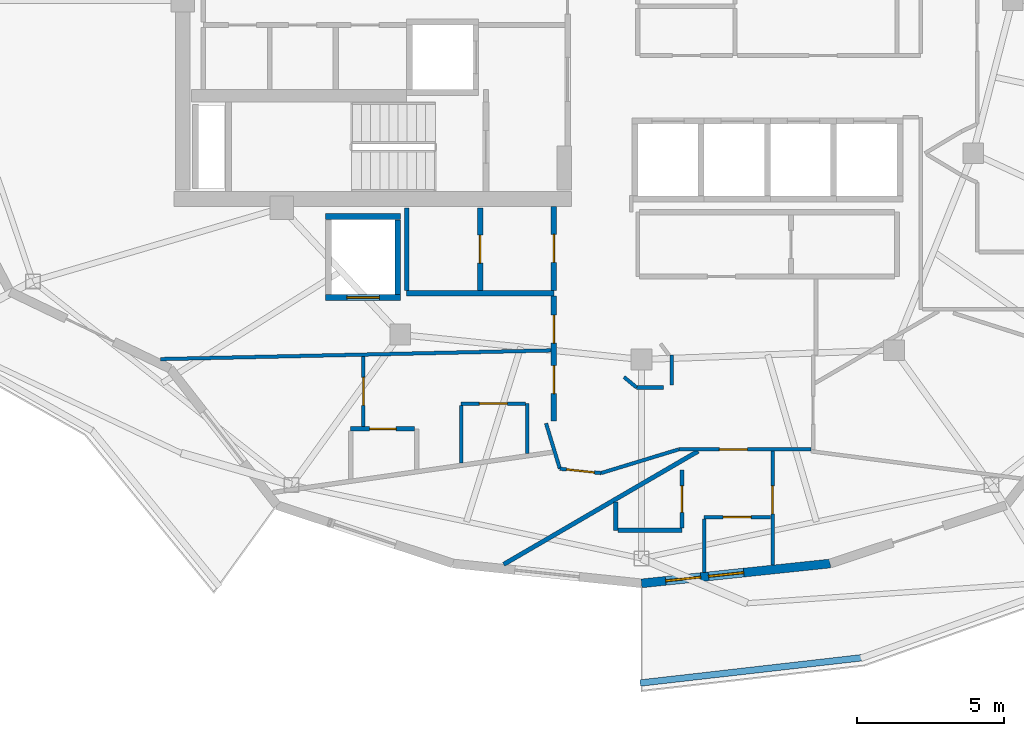
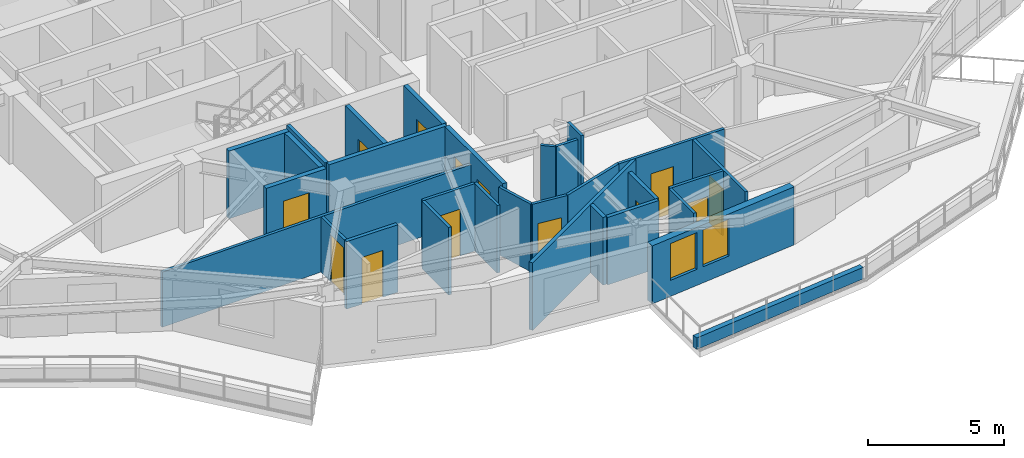
# One storey, part 6 of 14: 30 walls, 13 doors, 2 windows, 15 openings.
"""IFC4 building model written with IfcOpenShell, lengths in metres."""

from ifc_helpers import new_model, si_unit, direction, frame, frame_2d, origin, place, context, subcontext, project, spatial, rectangle, extrude, material, layer, layer_set, type_object, element, fill, save


model = new_model("IFC4")

# Units and contexts
model_context = context("Model", 3, precision=1e-05, world=origin(), true_north=direction((0.0, 1.0)))
body_context = subcontext(model_context, "Body", "Model", "MODEL_VIEW")
ifc_project = project(units=[si_unit("LENGTHUNIT", "METRE"), si_unit("AREAUNIT", "SQUARE_METRE"), si_unit("VOLUMEUNIT", "CUBIC_METRE"), si_unit("PLANEANGLEUNIT", "RADIAN"), si_unit("MASSUNIT", "GRAM", prefix="KILO")], contexts=[model_context])

# Site, building, storey
site_placement = place(None, origin())
site = spatial("IfcSite", under=ifc_project, at=site_placement, CompositionType="ELEMENT")
building_placement = place(site_placement, origin())
building = spatial("IfcBuilding", under=site, at=building_placement, Name="Kolvaren Gate Tower and Convention Centre", CompositionType="ELEMENT")
storey_placement = place(building_placement, frame((0.0, 0.0, 232.699951171875)))
storey = spatial("IfcBuildingStorey", under=building, at=storey_placement, Name="L62", CompositionType="ELEMENT", Elevation=232.699951171875)

# Wall
ifc_material_1 = material(Name="Autoclaved Aerated Masonry Blockwork Class 4 (4.0 MPa)", Category="masonry")
ifc_layer_1 = layer(ifc_material_1, 0.179931640625)
ifc_layer_set_1 = layer_set([ifc_layer_1], Name="Autoclaved Aerated Masonry Blockwork Class 4 (4.0 MPa)")
wall_type_1 = type_object("IfcWallType", Name="ARCH-WL-COMP-180", PredefinedType="SOLIDWALL", material=ifc_layer_set_1)
wall_1_placement = place(storey_placement, frame((22.14990234375, 17.050048828125, 0.0), z_axis=(0.0, 0.0, 1.0), x_axis=(1.0, 0.0, 0.0)))
element("IfcWall", 1, at=wall_1_placement, inside=storey, type_object=wall_type_1, Name="Interior Partition WL-L62-INT-011", PredefinedType="SOLIDWALL", context=body_context, shape_type="SweptSolid", body=[
    extrude(rectangle(XDim=5.0, YDim=0.179931640625, at=frame_2d((2.5, 0.0))), origin(), (0.0, 0.0, 1.0), 3.030029296875),
])

# Wall, opening, door
wall_2_placement = place(storey_placement, frame((24.64990234375, 17.14208984375, 0.0), z_axis=(0.0, 0.0, 1.0), x_axis=(0.0, 1.0, 0.0)))
wall_2 = element("IfcWall", 2, at=wall_2_placement, inside=storey, type_object=wall_type_1, Name="Interior Partition WL-L62-INT-013", PredefinedType="SOLIDWALL", context=body_context, shape_type="SweptSolid", body=[
    extrude(rectangle(XDim=2.807861328125, YDim=0.179931640625, at=frame_2d((1.40380859375, 0.0))), origin(), (0.0, 0.0, 1.0), 3.030029296875),
])
opening_1_placement = place(wall_2_placement, frame((0.928955078125, 0.0, 0.0)))
opening_1 = element("IfcOpeningElement", 3, at=opening_1_placement, cuts=wall_2, Name="Opening DR-01", PredefinedType="OPENING", context=body_context, shape_type="SweptSolid", body=[
    extrude(rectangle(XDim=0.949951171875, YDim=2.10009765625, at=frame_2d((0.47509765625, 1.050048828125))), frame((0.0, 0.099853515625, 0.0), z_axis=(0.0, -1.0, 0.0), x_axis=(1.0, 0.0, 0.0)), (0.0, 0.0, 1.0), 0.199951171875),
])
ifc_material_2 = material(Name="Painted Architectural Steelwork ASTM A500 Grade C 345 MPa", Category="steel")
door_type_1 = type_object("IfcDoorType", Name="ARCH-DR-RISER-950", OperationType="SINGLE_SWING_RIGHT", PredefinedType="DOOR", material=ifc_material_2)
door_1_placement = place(opening_1_placement, origin())
door_1 = element("IfcDoor", 4, at=door_1_placement, inside=storey, type_object=door_type_1, Name="West Valet Store Door", OperationType="SINGLE_SWING_LEFT", OverallHeight=2.10009765625, OverallWidth=0.949951171875, PredefinedType="DOOR", context=body_context, shape_type="SweptSolid", body=[
    extrude(rectangle(XDim=0.949951171875, YDim=2.10009765625, at=frame_2d((0.47509765625, 1.050048828125))), frame((0.0, 0.02490234375, 0.0), z_axis=(0.0, -1.0, 0.0), x_axis=(1.0, 0.0, 0.0)), (0.0, 0.0, 1.0), 0.050048828125),
])
fill(opening_1, door_1)

# Wall, openings, doors
wall_3_placement = place(storey_placement, frame((27.14990234375, 12.714111328125, 0.0), z_axis=(0.0, 0.0, 1.0), x_axis=(0.0, 1.0, 0.0)))
wall_3 = element("IfcWall", 5, at=wall_3_placement, inside=storey, type_object=wall_type_1, Name="Interior Partition WL-L62-INT-014", PredefinedType="SOLIDWALL", context=body_context, shape_type="SweptSolid", body=[
    extrude(rectangle(XDim=4.243896484375, YDim=0.179931640625, at=frame_2d((2.1220703125, 0.0))), origin(), (0.0, 0.0, 1.0), 3.030029296875),
])
opening_2_placement = place(wall_3_placement, frame((0.928466796875, 0.0, 0.0)))
opening_2 = element("IfcOpeningElement", 6, at=opening_2_placement, cuts=wall_3, Name="Opening DR-01", PredefinedType="OPENING", context=body_context, shape_type="SweptSolid", body=[
    extrude(rectangle(XDim=0.949951171875, YDim=2.10009765625, at=frame_2d((0.47509765625, 1.050048828125))), frame((0.0, 0.099853515625, 0.0), z_axis=(0.0, -1.0, 0.0), x_axis=(1.0, 0.0, 0.0)), (0.0, 0.0, 1.0), 0.199951171875),
])
opening_3_placement = place(wall_3_placement, frame((2.640380859375, 0.0, 0.0)))
opening_3 = element("IfcOpeningElement", 7, at=opening_3_placement, cuts=wall_3, Name="Opening DR-01", PredefinedType="OPENING", context=body_context, shape_type="SweptSolid", body=[
    extrude(rectangle(XDim=0.949951171875, YDim=2.10009765625, at=frame_2d((0.47509765625, 1.050048828125))), frame((0.0, 0.099853515625, 0.0), z_axis=(0.0, -1.0, 0.0), x_axis=(1.0, 0.0, 0.0)), (0.0, 0.0, 1.0), 0.199951171875),
])
door_2_placement = place(opening_2_placement, origin())
door_2 = element("IfcDoor", 8, at=door_2_placement, inside=storey, type_object=door_type_1, Name="Duplex Loft Living Room (APT-L62-01) Door", OperationType="SINGLE_SWING_RIGHT", OverallHeight=2.10009765625, OverallWidth=0.949951171875, PredefinedType="DOOR", context=body_context, shape_type="SweptSolid", body=[
    extrude(rectangle(XDim=0.949951171875, YDim=2.10009765625, at=frame_2d((0.47509765625, 1.050048828125))), frame((0.0, 0.02490234375, 0.0), z_axis=(0.0, -1.0, 0.0), x_axis=(1.0, 0.0, 0.0)), (0.0, 0.0, 1.0), 0.050048828125),
])
fill(opening_2, door_2)
door_3_placement = place(opening_3_placement, origin())
door_3 = element("IfcDoor", 9, at=door_3_placement, inside=storey, type_object=door_type_1, Name="Resident Private Study and Home Office Door", OperationType="SINGLE_SWING_RIGHT", OverallHeight=2.10009765625, OverallWidth=0.949951171875, PredefinedType="DOOR", context=body_context, shape_type="SweptSolid", body=[
    extrude(rectangle(XDim=0.949951171875, YDim=2.10009765625, at=frame_2d((0.47509765625, 1.050048828125))), frame((0.0, 0.02490234375, 0.0), z_axis=(0.0, -1.0, 0.0), x_axis=(1.0, 0.0, 0.0)), (0.0, 0.0, 1.0), 0.050048828125),
])
fill(opening_3, door_3)

# Wall, opening, door
wall_4_placement = place(storey_placement, frame((27.14990234375, 17.14208984375, 0.0), z_axis=(0.0, 0.0, 1.0), x_axis=(0.0, 1.0, 0.0)))
wall_4 = element("IfcWall", 10, at=wall_4_placement, inside=storey, type_object=wall_type_1, Name="Interior Partition WL-L62-INT-014 (2)", PredefinedType="SOLIDWALL", context=body_context, shape_type="SweptSolid", body=[
    extrude(rectangle(XDim=2.85595703125, YDim=0.179931640625, at=frame_2d((1.427978515625, 0.0))), origin(), (0.0, 0.0, 1.0), 3.030029296875),
])
opening_4_placement = place(wall_4_placement, frame((0.952880859375, 0.0, 0.0)))
opening_4 = element("IfcOpeningElement", 11, at=opening_4_placement, cuts=wall_4, Name="Opening DR-01", PredefinedType="OPENING", context=body_context, shape_type="SweptSolid", body=[
    extrude(rectangle(XDim=0.949951171875, YDim=2.10009765625, at=frame_2d((0.47509765625, 1.050048828125))), frame((0.0, 0.099853515625, 0.0), z_axis=(0.0, -1.0, 0.0), x_axis=(1.0, 0.0, 0.0)), (0.0, 0.0, 1.0), 0.199951171875),
])
door_4_placement = place(opening_4_placement, origin())
door_4 = element("IfcDoor", 12, at=door_4_placement, inside=storey, type_object=door_type_1, Name="Metering Switch Room Door", OperationType="SINGLE_SWING_RIGHT", OverallHeight=2.10009765625, OverallWidth=0.949951171875, PredefinedType="DOOR", context=body_context, shape_type="SweptSolid", body=[
    extrude(rectangle(XDim=0.949951171875, YDim=2.10009765625, at=frame_2d((0.47509765625, 1.050048828125))), frame((0.0, 0.02490234375, 0.0), z_axis=(0.0, -1.0, 0.0), x_axis=(1.0, 0.0, 0.0)), (0.0, 0.0, 1.0), 0.050048828125),
])
fill(opening_4, door_4)

ifc_material_3 = material(Name="Fire-Rated Acoustic Gypsum Stud Partition", Category="gypsum")
ifc_layer_2 = layer(ifc_material_3, 0.1201171875)
ifc_layer_set_2 = layer_set([ifc_layer_2], Name="Fire-Rated Acoustic Gypsum Stud Partition")
wall_type_2 = type_object("IfcWallType", Name="ARCH-WL-PART-120", PredefinedType="PARTITIONING", material=ifc_layer_set_2)
wall_5_placement = place(storey_placement, frame((31.39306640625, 11.75, 0.0), z_axis=(0.0, 0.0, 1.0), x_axis=(1.0, 0.0, 0.0)))
wall_5 = element("IfcWall", 13, at=wall_5_placement, inside=storey, type_object=wall_type_2, Name="Interior Partition WL-L62-INT-067", PredefinedType="PARTITIONING", context=body_context, shape_type="SweptSolid", body=[
    extrude(rectangle(XDim=4.494873046875, YDim=0.1201171875, at=frame_2d((2.24755859375, 0.0))), origin(), (0.0, 0.0, 1.0), 3.030029296875),
])
opening_5_placement = place(wall_5_placement, frame((1.3779296875, 0.0, 0.0)))
opening_5 = element("IfcOpeningElement", 14, at=opening_5_placement, cuts=wall_5, Name="Opening DR-01", PredefinedType="OPENING", context=body_context, shape_type="SweptSolid", body=[
    extrude(rectangle(XDim=0.949951171875, YDim=2.10009765625, at=frame_2d((0.47509765625, 1.050048828125))), frame((0.0, 0.070068359375, 0.0), z_axis=(0.0, -1.0, 0.0), x_axis=(1.0, 0.0, 0.0)), (0.0, 0.0, 1.0), 0.14013671875),
])
door_5_placement = place(opening_5_placement, origin())
door_5 = element("IfcDoor", 15, at=door_5_placement, inside=storey, type_object=door_type_1, Name="Duplex Loft Living Room (APT-L62-02) Door", OperationType="SINGLE_SWING_RIGHT", OverallHeight=2.10009765625, OverallWidth=0.949951171875, PredefinedType="DOOR", context=body_context, shape_type="SweptSolid", body=[
    extrude(rectangle(XDim=0.949951171875, YDim=2.10009765625, at=frame_2d((0.47509765625, 1.050048828125))), frame((0.0, 0.02490234375, 0.0), z_axis=(0.0, -1.0, 0.0), x_axis=(1.0, 0.0, 0.0)), (0.0, 0.0, 1.0), 0.050048828125),
])
fill(opening_5, door_5)

# Wall
wall_6_placement = place(storey_placement, frame((28.751953125, 10.944091796875, 0.0), z_axis=(0.0, 0.0, 1.0), x_axis=(0.956462690075, 0.291854625618, 0.0)))
element("IfcWall", 16, at=wall_6_placement, inside=storey, type_object=wall_type_2, Name="Interior Partition WL-L62-INT-068", PredefinedType="PARTITIONING", context=body_context, shape_type="SweptSolid", body=[
    extrude(rectangle(XDim=2.76123046875, YDim=0.1201171875, at=frame_2d((1.380615234375, 0.0))), origin(), (0.0, 0.0, 1.0), 3.030029296875),
])

# Wall, opening, door
wall_7_placement = place(storey_placement, frame((27.35498046875, 11.092041015625, 0.0), z_axis=(0.0, 0.0, 1.0), x_axis=(0.994438591301, -0.105318033263, 0.0)))
wall_7 = element("IfcWall", 17, at=wall_7_placement, inside=storey, type_object=wall_type_2, Name="Interior Partition WL-L62-INT-069", PredefinedType="PARTITIONING", context=body_context, shape_type="SweptSolid", body=[
    extrude(rectangle(XDim=1.40478515625, YDim=0.1201171875, at=frame_2d((0.702392578125, 0.0))), origin(), (0.0, 0.0, 1.0), 3.030029296875),
])
opening_6_placement = place(wall_7_placement, frame((0.227294921875, 0.0, 0.0)))
opening_6 = element("IfcOpeningElement", 18, at=opening_6_placement, cuts=wall_7, Name="Opening DR-01", PredefinedType="OPENING", context=body_context, shape_type="SweptSolid", body=[
    extrude(rectangle(XDim=0.949951171875, YDim=2.10009765625, at=frame_2d((0.47509765625, 1.050048828125))), frame((0.0, 0.070068359375, 0.0), z_axis=(0.0, -1.0, 0.0), x_axis=(1.0, 0.0, 0.0)), (0.0, 0.0, 1.0), 0.14013671875),
])
door_6_placement = place(opening_6_placement, origin())
door_6 = element("IfcDoor", 19, at=door_6_placement, inside=storey, type_object=door_type_1, Name="Resident Committee Meeting Room Door", OperationType="SINGLE_SWING_LEFT", OverallHeight=2.10009765625, OverallWidth=0.949951171875, PredefinedType="DOOR", context=body_context, shape_type="SweptSolid", body=[
    extrude(rectangle(XDim=0.949951171875, YDim=2.10009765625, at=frame_2d((0.47509765625, 1.050048828125))), frame((0.0, 0.02490234375, 0.0), z_axis=(0.0, -1.0, 0.0), x_axis=(1.0, 0.0, 0.0)), (0.0, 0.0, 1.0), 0.050048828125),
])
fill(opening_6, door_6)

# Walls
wall_8_placement = place(storey_placement, frame((26.885009765625, 12.633056640625, 0.0), z_axis=(0.0, 0.0, 1.0), x_axis=(0.291710302586, -0.956506716843, 0.0)))
element("IfcWall", 20, at=wall_8_placement, inside=storey, type_object=wall_type_2, Name="Interior Partition WL-L62-INT-070", PredefinedType="PARTITIONING", context=body_context, shape_type="SweptSolid", body=[
    extrude(rectangle(XDim=1.611083984375, YDim=0.1201171875, at=frame_2d((0.8056640625, 0.0))), origin(), (0.0, 0.0, 1.0), 3.030029296875),
])
wall_9_placement = place(storey_placement, frame((29.9599609375, 13.85009765625, 0.0), z_axis=(0.0, 0.0, 1.0), x_axis=(1.0, 0.0, 0.0)))
element("IfcWall", 21, at=wall_9_placement, inside=storey, type_object=wall_type_2, Name="Interior Partition WL-L62-INT-071", PredefinedType="PARTITIONING", context=body_context, shape_type="SweptSolid", body=[
    extrude(rectangle(XDim=0.9140625, YDim=0.1201171875, at=frame_2d((0.45703125, 0.0))), origin(), (0.0, 0.0, 1.0), 3.030029296875),
])
wall_10_placement = place(storey_placement, frame((31.14990234375, 13.93408203125, 0.0), z_axis=(0.0, 0.0, 1.0), x_axis=(0.0, 1.0, 0.0)))
element("IfcWall", 22, at=wall_10_placement, inside=storey, type_object=wall_type_2, Name="Interior Partition WL-L62-INT-072", PredefinedType="PARTITIONING", context=body_context, shape_type="SweptSolid", body=[
    extrude(rectangle(XDim=1.015869140625, YDim=0.1201171875, at=frame_2d((0.5078125, 0.0))), origin(), (0.0, 0.0, 1.0), 3.030029296875),
])
wall_11_placement = place(storey_placement, frame((29.531005859375, 14.2060546875, 0.0), z_axis=(0.0, 0.0, 1.0), x_axis=(0.7695479554, -0.638589026166, 0.0)))
element("IfcWall", 23, at=wall_11_placement, inside=storey, type_object=wall_type_2, Name="Interior Partition WL-L62-INT-074", PredefinedType="PARTITIONING", context=body_context, shape_type="SweptSolid", body=[
    extrude(rectangle(XDim=0.557373046875, YDim=0.1201171875, at=frame_2d((0.27880859375, 0.0))), origin(), (0.0, 0.0, 1.0), 3.030029296875),
])
wall_12_placement = place(storey_placement, frame((13.800048828125, 14.81396484375, 0.0), z_axis=(0.0, 0.0, 1.0), x_axis=(0.999752677802, 0.022239227231, 0.0)))
element("IfcWall", 24, at=wall_12_placement, inside=storey, type_object=wall_type_2, Name="Interior Partition WL-L62-INT-075", PredefinedType="PARTITIONING", context=body_context, shape_type="SweptSolid", body=[
    extrude(rectangle(XDim=13.26123046875, YDim=0.1201171875, at=frame_2d((6.630615234375, 0.0))), origin(), (0.0, 0.0, 1.0), 2.47802734375),
])
wall_13_placement = place(storey_placement, frame((26.25, 11.60888671875, 0.0), z_axis=(0.0, 0.0, 1.0), x_axis=(0.0, 1.0, 0.0)))
element("IfcWall", 25, at=wall_13_placement, inside=storey, type_object=wall_type_2, Name="Interior Partition WL-L62-INT-077", PredefinedType="PARTITIONING", context=body_context, shape_type="SweptSolid", body=[
    extrude(rectangle(XDim=1.691162109375, YDim=0.1201171875, at=frame_2d((0.845703125, 0.0))), origin(), (0.0, 0.0, 1.0), 3.030029296875),
])

# Wall, opening, door
wall_14_placement = place(storey_placement, frame((24.0, 13.300048828125, 0.0), z_axis=(0.0, 0.0, 1.0), x_axis=(1.0, 0.0, 0.0)))
wall_14 = element("IfcWall", 26, at=wall_14_placement, inside=storey, type_object=wall_type_2, Name="Interior Partition WL-L62-INT-078", PredefinedType="PARTITIONING", context=body_context, shape_type="SweptSolid", body=[
    extrude(rectangle(XDim=2.18798828125, YDim=0.1201171875, at=frame_2d((1.093994140625, 0.0))), origin(), (0.0, 0.0, 1.0), 3.030029296875),
])
opening_7_placement = place(wall_14_placement, frame((0.618896484375, 0.0, 0.0)))
opening_7 = element("IfcOpeningElement", 27, at=opening_7_placement, cuts=wall_14, Name="Opening DI-01", PredefinedType="OPENING", context=body_context, shape_type="SweptSolid", body=[
    extrude(rectangle(XDim=0.949951171875, YDim=2.10009765625, at=frame_2d((0.47509765625, 1.050048828125))), frame((0.0, 0.070068359375, 0.0), z_axis=(0.0, -1.0, 0.0), x_axis=(1.0, 0.0, 0.0)), (0.0, 0.0, 1.0), 0.14013671875),
])
ifc_material_4 = material(Name="FSC Andean Oak Engineered Veneer Door Leaf", Category="wood")
door_type_2 = type_object("IfcDoorType", Name="ARCH-DR-INT-950", OperationType="SINGLE_SWING_LEFT", PredefinedType="DOOR", material=ifc_material_4)
door_7_placement = place(opening_7_placement, origin())
door_7 = element("IfcDoor", 28, at=door_7_placement, inside=storey, type_object=door_type_2, Name="Apartment Fitted Kitchen (APT-L62-01) Door", OperationType="SINGLE_SWING_LEFT", OverallHeight=2.10009765625, OverallWidth=0.949951171875, PredefinedType="DOOR", context=body_context, shape_type="SweptSolid", body=[
    extrude(rectangle(XDim=0.949951171875, YDim=2.10009765625, at=frame_2d((0.47509765625, 1.050048828125))), frame((0.0, 0.02490234375, 0.0), z_axis=(0.0, -1.0, 0.0), x_axis=(1.0, 0.0, 0.0)), (0.0, 0.0, 1.0), 0.050048828125),
])
fill(opening_7, door_7)

# Wall
wall_15_placement = place(storey_placement, frame((24.0, 11.28466796875, 0.0), z_axis=(0.0, 0.0, 1.0), x_axis=(0.0, 1.0, 0.0)))
element("IfcWall", 29, at=wall_15_placement, inside=storey, type_object=wall_type_2, Name="Interior Partition WL-L62-INT-079", PredefinedType="PARTITIONING", context=body_context, shape_type="SweptSolid", body=[
    extrude(rectangle(XDim=1.953369140625, YDim=0.1201171875, at=frame_2d((0.9765625, 0.0))), origin(), (0.0, 0.0, 1.0), 3.030029296875),
])

# Wall, opening, door
wall_16_placement = place(storey_placement, frame((20.679931640625, 12.52587890625, 0.0), z_axis=(0.0, 0.0, 1.0), x_axis=(0.0, 1.0, 0.0)))
wall_16 = element("IfcWall", 30, at=wall_16_placement, inside=storey, type_object=wall_type_2, Name="Interior Partition WL-L62-INT-082", PredefinedType="PARTITIONING", context=body_context, shape_type="SweptSolid", body=[
    extrude(rectangle(XDim=2.379150390625, YDim=0.1201171875, at=frame_2d((1.189453125, 0.0))), origin(), (0.0, 0.0, 1.0), 2.47802734375),
])
opening_8_placement = place(wall_16_placement, frame((0.714599609375, 0.0, 0.0)))
opening_8 = element("IfcOpeningElement", 31, at=opening_8_placement, cuts=wall_16, Name="Opening DI-01", PredefinedType="OPENING", context=body_context, shape_type="SweptSolid", body=[
    extrude(rectangle(XDim=0.949951171875, YDim=2.10009765625, at=frame_2d((0.47509765625, 1.050048828125))), frame((0.0, 0.070068359375, 0.0), z_axis=(0.0, -1.0, 0.0), x_axis=(1.0, 0.0, 0.0)), (0.0, 0.0, 1.0), 0.14013671875),
])
door_8_placement = place(opening_8_placement, origin())
door_8 = element("IfcDoor", 32, at=door_8_placement, inside=storey, type_object=door_type_2, Name="Apartment Bedroom (APT-L62-01) Door", OperationType="SINGLE_SWING_LEFT", OverallHeight=2.10009765625, OverallWidth=0.949951171875, PredefinedType="DOOR", context=body_context, shape_type="SweptSolid", body=[
    extrude(rectangle(XDim=0.949951171875, YDim=2.10009765625, at=frame_2d((0.47509765625, 1.050048828125))), frame((0.0, 0.02490234375, 0.0), z_axis=(0.0, -1.0, 0.0), x_axis=(1.0, 0.0, 0.0)), (0.0, 0.0, 1.0), 0.050048828125),
])
fill(opening_8, door_8)

wall_17_placement = place(storey_placement, frame((34.573974609375, 7.8212890625, 0.0), z_axis=(0.0, 0.0, 1.0), x_axis=(0.0, 1.0, 0.0)))
wall_17 = element("IfcWall", 33, at=wall_17_placement, inside=storey, type_object=wall_type_2, Name="Interior Partition WL-L62-INT-087", PredefinedType="PARTITIONING", context=body_context, shape_type="SweptSolid", body=[
    extrude(rectangle(XDim=3.86669921875, YDim=0.1201171875, at=frame_2d((1.933349609375, 0.0))), origin(), (0.0, 0.0, 1.0), 3.030029296875),
])
opening_9_placement = place(wall_17_placement, frame((1.73828125, 0.0, 0.0)))
opening_9 = element("IfcOpeningElement", 34, at=opening_9_placement, cuts=wall_17, Name="Opening DI-01", PredefinedType="OPENING", context=body_context, shape_type="SweptSolid", body=[
    extrude(rectangle(XDim=0.949951171875, YDim=2.10009765625, at=frame_2d((0.47509765625, 1.050048828125))), frame((0.0, 0.070068359375, 0.0), z_axis=(0.0, -1.0, 0.0), x_axis=(1.0, 0.0, 0.0)), (0.0, 0.0, 1.0), 0.14013671875),
])
door_9_placement = place(opening_9_placement, origin())
door_9 = element("IfcDoor", 35, at=door_9_placement, inside=storey, type_object=door_type_2, Name="Apartment Bedroom (APT-L62-02) Door", OperationType="SINGLE_SWING_RIGHT", OverallHeight=2.10009765625, OverallWidth=0.949951171875, PredefinedType="DOOR", context=body_context, shape_type="SweptSolid", body=[
    extrude(rectangle(XDim=0.949951171875, YDim=2.10009765625, at=frame_2d((0.47509765625, 1.050048828125))), frame((0.0, 0.02490234375, 0.0), z_axis=(0.0, -1.0, 0.0), x_axis=(1.0, 0.0, 0.0)), (0.0, 0.0, 1.0), 0.050048828125),
])
fill(opening_9, door_9)

wall_18_placement = place(storey_placement, frame((32.25, 9.449951171875, 0.0), z_axis=(0.0, 0.0, 1.0), x_axis=(1.0, 0.0, 0.0)))
wall_18 = element("IfcWall", 36, at=wall_18_placement, inside=storey, type_object=wall_type_2, Name="Interior Partition WL-L62-INT-088", PredefinedType="PARTITIONING", context=body_context, shape_type="SweptSolid", body=[
    extrude(rectangle(XDim=2.25, YDim=0.1201171875, at=frame_2d((1.125, 0.0))), origin(), (0.0, 0.0, 1.0), 3.030029296875),
])
opening_10_placement = place(wall_18_placement, frame((0.64990234375, 0.0, 0.0)))
opening_10 = element("IfcOpeningElement", 37, at=opening_10_placement, cuts=wall_18, Name="Opening DI-01", PredefinedType="OPENING", context=body_context, shape_type="SweptSolid", body=[
    extrude(rectangle(XDim=0.949951171875, YDim=2.10009765625, at=frame_2d((0.47509765625, 1.050048828125))), frame((0.0, 0.070068359375, 0.0), z_axis=(0.0, -1.0, 0.0), x_axis=(1.0, 0.0, 0.0)), (0.0, 0.0, 1.0), 0.14013671875),
])
door_10_placement = place(opening_10_placement, origin())
door_10 = element("IfcDoor", 38, at=door_10_placement, inside=storey, type_object=door_type_2, Name="Apartment Fitted Kitchen (APT-L62-02) Door", OperationType="SINGLE_SWING_RIGHT", OverallHeight=2.10009765625, OverallWidth=0.949951171875, PredefinedType="DOOR", context=body_context, shape_type="SweptSolid", body=[
    extrude(rectangle(XDim=0.949951171875, YDim=2.10009765625, at=frame_2d((0.47509765625, 1.050048828125))), frame((0.0, 0.02490234375, 0.0), z_axis=(0.0, -1.0, 0.0), x_axis=(1.0, 0.0, 0.0)), (0.0, 0.0, 1.0), 0.050048828125),
])
fill(opening_10, door_10)

# Walls
wall_19_placement = place(storey_placement, frame((32.25, 7.57666015625, 0.0), z_axis=(0.0, 0.0, 1.0), x_axis=(0.0, 1.0, 0.0)))
element("IfcWall", 39, at=wall_19_placement, inside=storey, type_object=wall_type_2, Name="Interior Partition WL-L62-INT-089", PredefinedType="PARTITIONING", context=body_context, shape_type="SweptSolid", body=[
    extrude(rectangle(XDim=1.811279296875, YDim=0.1201171875, at=frame_2d((0.90576171875, 0.0))), origin(), (0.0, 0.0, 1.0), 3.030029296875),
])
ifc_material_5 = material(Name="Piedmont Cream Honed Limestone Cladding", Category="masonry")
ifc_layer_3 = layer(ifc_material_5, 0.219970703125)
ifc_layer_set_3 = layer_set([ifc_layer_3], Name="Piedmont Cream Honed Limestone Cladding")
wall_type_3 = type_object("IfcWallType", Name="ARCH-WL-PLANTER-220", PredefinedType="PARAPET", material=ifc_layer_set_3)
wall_20_placement = place(storey_placement, frame((30.07958984375, 3.81640625, 0.0), z_axis=(0.0, 0.0, 1.0), x_axis=(0.993546198781, 0.113428175021, 0.0)))
element("IfcWall", 40, at=wall_20_placement, inside=storey, type_object=wall_type_3, Name="Vertical-Forest Balcony Stone Planter Kerb PK-L62-3.1", PredefinedType="PARAPET", context=body_context, shape_type="SweptSolid", body=[
    extrude(rectangle(XDim=7.6171875, YDim=0.219970703125, at=frame_2d((3.80859375, 0.0))), origin(), (0.0, 0.0, 1.0), 0.52001953125),
])
ifc_layer_4 = layer(ifc_material_1, 0.199951171875)
ifc_layer_set_4 = layer_set([ifc_layer_4], Name="Autoclaved Aerated Masonry Blockwork Class 4 (4.0 MPa)")
wall_type_4 = type_object("IfcWallType", Name="ARCH-WL-SHAFT-200", PredefinedType="SOLIDWALL", material=ifc_layer_set_4)
wall_21_placement = place(storey_placement, frame((19.39990234375, 19.64990234375, 0.0), z_axis=(0.0, 0.0, 1.0), x_axis=(1.0, 0.0, 0.0)))
element("IfcWall", 41, at=wall_21_placement, inside=storey, type_object=wall_type_4, Name="Elevator SV-01 L62 Fire Shaft Wall N", PredefinedType="SOLIDWALL", context=body_context, shape_type="SweptSolid", body=[
    extrude(rectangle(XDim=2.550048828125, YDim=0.199951171875, at=frame_2d((1.27490234375, 0.0))), origin(), (0.0, 0.0, 1.0), 3.030029296875),
])

# Wall, opening, door
wall_22_placement = place(storey_placement, frame((19.39990234375, 16.89990234375, 0.0), z_axis=(0.0, 0.0, 1.0), x_axis=(1.0, 0.0, 0.0)))
wall_22 = element("IfcWall", 42, at=wall_22_placement, inside=storey, type_object=wall_type_4, Name="Elevator SV-01 L62 Fire Shaft Wall S", PredefinedType="SOLIDWALL", context=body_context, shape_type="SweptSolid", body=[
    extrude(rectangle(XDim=2.550048828125, YDim=0.199951171875, at=frame_2d((1.27490234375, 0.0))), origin(), (0.0, 0.0, 1.0), 3.030029296875),
])
opening_11_placement = place(wall_22_placement, frame((0.72509765625, 0.0, 0.0)))
opening_11 = element("IfcOpeningElement", 43, at=opening_11_placement, cuts=wall_22, Name="Opening LD", PredefinedType="OPENING", context=body_context, shape_type="SweptSolid", body=[
    extrude(rectangle(XDim=1.10009765625, YDim=2.199951171875, at=frame_2d((0.550048828125, 1.10009765625))), frame((0.0, 0.10986328125, 0.0), z_axis=(0.0, -1.0, 0.0), x_axis=(1.0, 0.0, 0.0)), (0.0, 0.0, 1.0), 0.219970703125),
])
ifc_material_6 = material(Name="Brushed Stainless Steel Grade 316L", Category="steel")
door_type_3 = type_object("IfcDoorType", Name="ARCH-DR-LIFT-1100", OperationType="SLIDING_TO_LEFT", PredefinedType="DOOR", material=ifc_material_6)
door_11_placement = place(opening_11_placement, origin())
door_11 = element("IfcDoor", 44, at=door_11_placement, inside=storey, type_object=door_type_3, Name="Elevator SV-01 L62 Sliding Landing Door", OperationType="SLIDING_TO_LEFT", OverallHeight=2.199951171875, OverallWidth=1.10009765625, PredefinedType="DOOR", context=body_context, shape_type="SweptSolid", body=[
    extrude(rectangle(XDim=1.10009765625, YDim=2.199951171875, at=frame_2d((0.550048828125, 1.10009765625))), frame((0.0, 0.02490234375, 0.0), z_axis=(0.0, -1.0, 0.0), x_axis=(1.0, 0.0, 0.0)), (0.0, 0.0, 1.0), 0.050048828125),
])
fill(opening_11, door_11)

# Wall
wall_23_placement = place(storey_placement, frame((21.85009765625, 17.010009765625, 0.0), z_axis=(0.0, 0.0, 1.0), x_axis=(0.0, 1.0, 0.0)))
element("IfcWall", 45, at=wall_23_placement, inside=storey, type_object=wall_type_4, Name="Elevator SV-01 L62 Fire Shaft Wall E", PredefinedType="SOLIDWALL", context=body_context, shape_type="SweptSolid", body=[
    extrude(rectangle(XDim=2.530029296875, YDim=0.199951171875, at=frame_2d((1.26513671875, 0.0))), origin(), (0.0, 0.0, 1.0), 3.030029296875),
])

# Wall, openings, windows
ifc_layer_5 = layer(ifc_material_5, 0.300048828125)
ifc_layer_set_5 = layer_set([ifc_layer_5], Name="Piedmont Cream Honed Limestone Cladding")
wall_type_5 = type_object("IfcWallType", Name="ARCH-WL-STONE-300", PredefinedType="SOLIDWALL", material=ifc_layer_set_5)
wall_24_placement = place(storey_placement, frame((30.125, 7.199951171875, 0.0), z_axis=(0.0, 0.0, 1.0), x_axis=(0.994497142298, 0.104763705363, 0.0)))
wall_24 = element("IfcWall", 46, at=wall_24_placement, inside=storey, type_object=wall_type_5, Name="Tower L62 Honed Stone Spandrel Wall EW-18", PredefinedType="SOLIDWALL", context=body_context, shape_type="SweptSolid", body=[
    extrude(rectangle(XDim=6.441162109375, YDim=0.300048828125, at=frame_2d((3.220703125, 0.0))), origin(), (0.0, 0.0, 1.0), 2.60498046875),
])
opening_12_placement = place(wall_24_placement, frame((0.82275390625, 0.0, 0.719970703125)))
opening_12 = element("IfcOpeningElement", 47, at=opening_12_placement, cuts=wall_24, Name="Opening W-04", PredefinedType="OPENING", context=body_context, shape_type="SweptSolid", body=[
    extrude(rectangle(XDim=1.199951171875, YDim=1.64990234375, at=frame_2d((0.60009765625, 0.824951171875))), frame((0.0, 0.159912109375, 0.0), z_axis=(0.0, -1.0, 0.0), x_axis=(1.0, 0.0, 0.0)), (0.0, 0.0, 1.0), 0.320068359375),
])
opening_13_placement = place(wall_24_placement, frame((2.289306640625, 0.0, 0.719970703125)))
opening_13 = element("IfcOpeningElement", 48, at=opening_13_placement, cuts=wall_24, Name="Opening W-04", PredefinedType="OPENING", context=body_context, shape_type="SweptSolid", body=[
    extrude(rectangle(XDim=1.199951171875, YDim=1.64990234375, at=frame_2d((0.60009765625, 0.824951171875))), frame((0.0, 0.159912109375, 0.0), z_axis=(0.0, -1.0, 0.0), x_axis=(1.0, 0.0, 0.0)), (0.0, 0.0, 1.0), 0.320068359375),
])
ifc_material_7 = material(Name="Low-E Triple Insulated Glazing Unit 44 mm", Category="glass")
window_type = type_object("IfcWindowType", Name="ARCH-WN-NARROW-1200", PartitioningType="SINGLE_PANEL", PredefinedType="WINDOW", material=ifc_material_7)
window_1_placement = place(opening_12_placement, origin())
window_1 = element("IfcWindow", 49, at=window_1_placement, inside=storey, type_object=window_type, Name="Tower L62 Punched Stone Facade Window W-18", OverallHeight=1.64990234375, OverallWidth=1.199951171875, PartitioningType="SINGLE_PANEL", PredefinedType="WINDOW", context=body_context, shape_type="SweptSolid", body=[
    extrude(rectangle(XDim=1.199951171875, YDim=1.64990234375, at=frame_2d((0.60009765625, 0.824951171875))), frame((0.0, 0.030029296875, 0.0), z_axis=(0.0, -1.0, 0.0), x_axis=(1.0, 0.0, 0.0)), (0.0, 0.0, 1.0), 0.06005859375),
])
fill(opening_12, window_1)
window_2_placement = place(opening_13_placement, origin())
window_2 = element("IfcWindow", 50, at=window_2_placement, inside=storey, type_object=window_type, Name="Tower L62 Punched Stone Facade Window W-18B", OverallHeight=1.64990234375, OverallWidth=1.199951171875, PartitioningType="SINGLE_PANEL", PredefinedType="WINDOW", context=body_context, shape_type="SweptSolid", body=[
    extrude(rectangle(XDim=1.199951171875, YDim=1.64990234375, at=frame_2d((0.60009765625, 0.824951171875))), frame((0.0, 0.030029296875, 0.0), z_axis=(0.0, -1.0, 0.0), x_axis=(1.0, 0.0, 0.0)), (0.0, 0.0, 1.0), 0.06005859375),
])
fill(opening_13, window_2)

# Wall
ifc_material_8 = material(Name="Moisture-Resistant Cement-Board Acoustic Partition", Category="gypsum")
ifc_layer_6 = layer(ifc_material_8, 0.14990234375)
ifc_layer_set_6 = layer_set([ifc_layer_6], Name="Moisture-Resistant Cement-Board Acoustic Partition")
wall_type_6 = type_object("IfcWallType", Name="ARCH-WL-WET-150", PredefinedType="PARTITIONING", material=ifc_layer_set_6)
wall_25_placement = place(storey_placement, frame((22.14990234375, 17.14208984375, 0.0), z_axis=(0.0, 0.0, 1.0), x_axis=(0.0, 1.0, 0.0)))
element("IfcWall", 51, at=wall_25_placement, inside=storey, type_object=wall_type_6, Name="Interior Partition WL-L62-INT-012", PredefinedType="PARTITIONING", context=body_context, shape_type="SweptSolid", body=[
    extrude(rectangle(XDim=2.807861328125, YDim=0.14990234375, at=frame_2d((1.40380859375, 0.0))), origin(), (0.0, 0.0, 1.0), 3.030029296875),
])

# Wall, opening, door
wall_26_placement = place(storey_placement, frame((20.25, 12.448974609375, 0.0), z_axis=(0.0, 0.0, 1.0), x_axis=(1.0, 0.0, 0.0)))
wall_26 = element("IfcWall", 52, at=wall_26_placement, inside=storey, type_object=wall_type_6, Name="Interior Partition WL-L62-INT-081", PredefinedType="PARTITIONING", context=body_context, shape_type="SweptSolid", body=[
    extrude(rectangle(XDim=2.173095703125, YDim=0.14990234375, at=frame_2d((1.08642578125, 0.0))), origin(), (0.0, 0.0, 1.0), 3.030029296875),
])
opening_14_placement = place(wall_26_placement, frame((0.646484375, 0.0, 0.0)))
opening_14 = element("IfcOpeningElement", 53, at=opening_14_placement, cuts=wall_26, Name="Opening DW-01", PredefinedType="OPENING", context=body_context, shape_type="SweptSolid", body=[
    extrude(rectangle(XDim=0.89990234375, YDim=2.10009765625, at=frame_2d((0.449951171875, 1.050048828125))), frame((0.0, 0.0849609375, 0.0), z_axis=(0.0, -1.0, 0.0), x_axis=(1.0, 0.0, 0.0)), (0.0, 0.0, 1.0), 0.169921875),
])
door_type_4 = type_object("IfcDoorType", Name="ARCH-DR-WC-900", OperationType="SINGLE_SWING_RIGHT", PredefinedType="DOOR", material=ifc_material_4)
door_12_placement = place(opening_14_placement, origin())
door_12 = element("IfcDoor", 54, at=door_12_placement, inside=storey, type_object=door_type_4, Name="Apartment Bathroom (APT-L62-01) Door", OperationType="SINGLE_SWING_RIGHT", OverallHeight=2.10009765625, OverallWidth=0.89990234375, PredefinedType="DOOR", context=body_context, shape_type="SweptSolid", body=[
    extrude(rectangle(XDim=0.89990234375, YDim=2.10009765625, at=frame_2d((0.449951171875, 1.050048828125))), frame((0.0, 0.02490234375, 0.0), z_axis=(0.0, -1.0, 0.0), x_axis=(1.0, 0.0, 0.0)), (0.0, 0.0, 1.0), 0.050048828125),
])
fill(opening_14, door_12)

# Walls
wall_27_placement = place(storey_placement, frame((25.44677734375, 7.845703125, 0.0), z_axis=(0.0, 0.0, 1.0), x_axis=(0.864278106544, 0.503014268732, 0.0)))
element("IfcWall", 55, at=wall_27_placement, inside=storey, type_object=wall_type_6, Name="Interior Partition WL-L62-INT-084", PredefinedType="PARTITIONING", context=body_context, shape_type="SweptSolid", body=[
    extrude(rectangle(XDim=7.638427734375, YDim=0.14990234375, at=frame_2d((3.8193359375, 0.0))), origin(), (0.0, 0.0, 1.0), 3.030029296875),
])
wall_28_placement = place(storey_placement, frame((29.25, 9.0, 0.0), z_axis=(0.0, 0.0, 1.0), x_axis=(0.0, 1.0, 0.0)))
element("IfcWall", 56, at=wall_28_placement, inside=storey, type_object=wall_type_6, Name="Interior Partition WL-L62-INT-090", PredefinedType="PARTITIONING", context=body_context, shape_type="SweptSolid", body=[
    extrude(rectangle(XDim=0.97021484375, YDim=0.14990234375, at=frame_2d((0.485107421875, 0.0))), origin(), (0.0, 0.0, 1.0), 3.030029296875),
])
wall_29_placement = place(storey_placement, frame((29.326904296875, 9.0, 0.0), z_axis=(0.0, 0.0, 1.0), x_axis=(1.0, 0.0, 0.0)))
element("IfcWall", 57, at=wall_29_placement, inside=storey, type_object=wall_type_6, Name="Interior Partition WL-L62-INT-091", PredefinedType="PARTITIONING", context=body_context, shape_type="SweptSolid", body=[
    extrude(rectangle(XDim=2.173095703125, YDim=0.14990234375, at=frame_2d((1.08642578125, 0.0))), origin(), (0.0, 0.0, 1.0), 3.030029296875),
])

# Wall, opening, door
wall_30_placement = place(storey_placement, frame((31.5, 9.076904296875, 0.0), z_axis=(0.0, 0.0, 1.0), x_axis=(0.0, 1.0, 0.0)))
wall_30 = element("IfcWall", 58, at=wall_30_placement, inside=storey, type_object=wall_type_6, Name="Interior Partition WL-L62-INT-092", PredefinedType="PARTITIONING", context=body_context, shape_type="SweptSolid", body=[
    extrude(rectangle(XDim=1.97314453125, YDim=0.14990234375, at=frame_2d((0.986572265625, 0.0))), origin(), (0.0, 0.0, 1.0), 3.030029296875),
])
opening_15_placement = place(wall_30_placement, frame((0.53662109375, 0.0, 0.0)))
opening_15 = element("IfcOpeningElement", 59, at=opening_15_placement, cuts=wall_30, Name="Opening DW-01", PredefinedType="OPENING", context=body_context, shape_type="SweptSolid", body=[
    extrude(rectangle(XDim=0.89990234375, YDim=2.10009765625, at=frame_2d((0.449951171875, 1.050048828125))), frame((0.0, 0.0849609375, 0.0), z_axis=(0.0, -1.0, 0.0), x_axis=(1.0, 0.0, 0.0)), (0.0, 0.0, 1.0), 0.169921875),
])
door_13_placement = place(opening_15_placement, origin())
door_13 = element("IfcDoor", 60, at=door_13_placement, inside=storey, type_object=door_type_4, Name="Apartment Bathroom (APT-L62-02) Door", OperationType="SINGLE_SWING_LEFT", OverallHeight=2.10009765625, OverallWidth=0.89990234375, PredefinedType="DOOR", context=body_context, shape_type="SweptSolid", body=[
    extrude(rectangle(XDim=0.89990234375, YDim=2.10009765625, at=frame_2d((0.449951171875, 1.050048828125))), frame((0.0, 0.02490234375, 0.0), z_axis=(0.0, -1.0, 0.0), x_axis=(1.0, 0.0, 0.0)), (0.0, 0.0, 1.0), 0.050048828125),
])
fill(opening_15, door_13)

save(model, "model.ifc")
